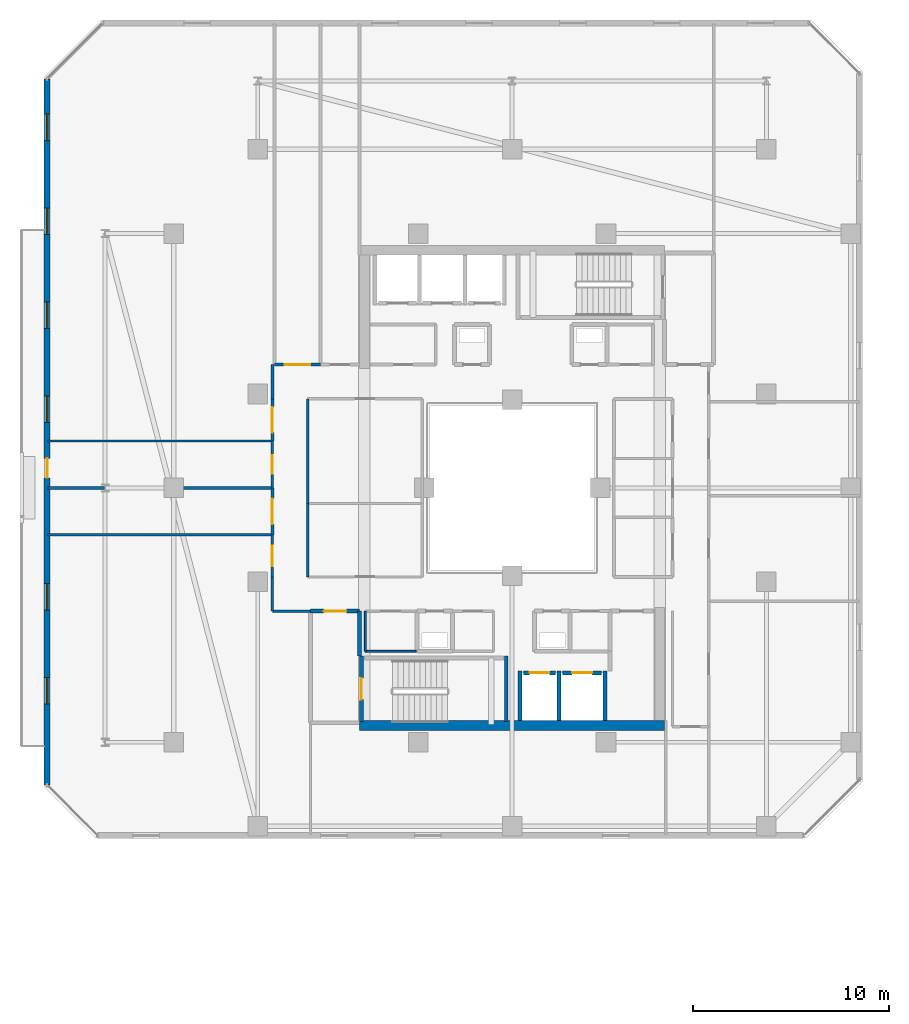
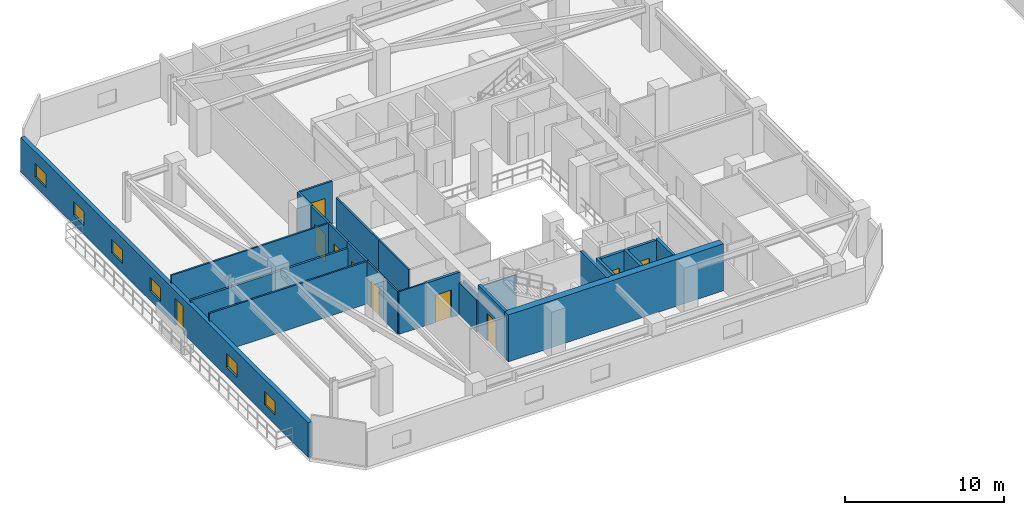
# One storey, part 19 of 33: 26 walls, 10 doors, 6 windows, 16 openings.
"""IFC4 building model written with IfcOpenShell, lengths in metres."""

from ifc_helpers import new_model, si_unit, direction, frame, frame_2d, origin, place, context, subcontext, project, spatial, rectangle, extrude, material, layer, layer_set, type_object, element, fill, save


model = new_model("IFC4")

# Units and contexts
model_context = context("Model", 3, precision=1e-05, world=origin(), true_north=direction((0.0, 1.0)))
body_context = subcontext(model_context, "Body", "Model", "MODEL_VIEW")
ifc_project = project(units=[si_unit("LENGTHUNIT", "METRE"), si_unit("AREAUNIT", "SQUARE_METRE"), si_unit("VOLUMEUNIT", "CUBIC_METRE"), si_unit("PLANEANGLEUNIT", "RADIAN"), si_unit("MASSUNIT", "GRAM", prefix="KILO")], contexts=[model_context])

# Site, building, storey
site_placement = place(None, origin())
site = spatial("IfcSite", under=ifc_project, at=site_placement, CompositionType="ELEMENT")
building_placement = place(site_placement, origin())
building = spatial("IfcBuilding", under=site, at=building_placement, Name="Thornwick Lancets Civic Towers", CompositionType="ELEMENT")
storey_placement = place(building_placement, frame((0.0, 0.0, 218.10009765625)))
storey = spatial("IfcBuildingStorey", under=building, at=storey_placement, Name="L58", CompositionType="ELEMENT", Elevation=218.10009765625)

# Wall, opening, door
ifc_material_1 = material(Name="Concrete blockwork C40/50", Category="masonry")
ifc_layer_1 = layer(ifc_material_1, 0.199951171875, Name="Concrete blockwork C40/50")
ifc_layer_set_1 = layer_set([ifc_layer_1], Name="Concrete blockwork C40/50")
wall_type_1 = type_object("IfcWallType", Name="WALL_COMP_200", PredefinedType="STANDARD", material=ifc_layer_set_1)
wall_1_placement = place(storey_placement, frame((26.080078125, 17.550048828125, 0.0), z_axis=(0.0, 0.0, 1.0), x_axis=(1.0, 0.0, 0.0)))
wall_1 = element("IfcWall", 1, at=wall_1_placement, inside=storey, type_object=wall_type_1, Name="L58 Hoistway Front Wall FL-A1", PredefinedType="STANDARD", context=body_context, shape_type="SweptSolid", body=[
    extrude(rectangle(XDim=1.639892578125, YDim=0.199951171875, at=frame_2d((0.81982421875, 0.0))), origin(), (0.0, 0.0, 1.0), 3.260009765625),
])
opening_1_placement = place(wall_1_placement, frame((0.31005859375, 0.0, 0.0)))
opening_1 = element("IfcOpeningElement", 2, at=opening_1_placement, cuts=wall_1, Name="Opening LD-FL-A1", PredefinedType="OPENING", context=body_context, shape_type="SweptSolid", body=[
    extrude(rectangle(XDim=1.02001953125, YDim=2.06005859375, at=frame_2d((0.510009765625, 1.030029296875))), frame((0.0, 0.10986328125, 0.0), z_axis=(0.0, -1.0, 0.0), x_axis=(1.0, 0.0, 0.0)), (0.0, 0.0, 1.0), 0.219970703125),
])
ifc_material_2 = material(Name="Brushed bronze stainless steel", Category="steel")
door_type_1 = type_object("IfcDoorType", Name="DOOR_LIFT_SLIDE", OperationType="SLIDING_TO_LEFT", PredefinedType="DOOR", material=ifc_material_2)
door_1_placement = place(opening_1_placement, origin())
door_1 = element("IfcDoor", 3, at=door_1_placement, inside=storey, type_object=door_type_1, Name="L58 Sliding Lift Landing Door LD-FL-A1", OperationType="SLIDING_TO_LEFT", OverallHeight=2.06005859375, OverallWidth=1.02001953125, PredefinedType="DOOR", context=body_context, shape_type="SweptSolid", body=[
    extrude(rectangle(XDim=1.02001953125, YDim=2.06005859375, at=frame_2d((0.510009765625, 1.030029296875))), frame((0.0, 0.02490234375, 0.0), z_axis=(0.0, -1.0, 0.0), x_axis=(1.0, 0.0, 0.0)), (0.0, 0.0, 1.0), 0.050048828125),
])
fill(opening_1, door_1)

wall_2_placement = place(storey_placement, frame((28.080078125, 17.550048828125, 0.0), z_axis=(0.0, 0.0, 1.0), x_axis=(1.0, 0.0, 0.0)))
wall_2 = element("IfcWall", 4, at=wall_2_placement, inside=storey, type_object=wall_type_1, Name="L58 Hoistway Front Wall PL-AH1", PredefinedType="STANDARD", context=body_context, shape_type="SweptSolid", body=[
    extrude(rectangle(XDim=1.989990234375, YDim=0.199951171875, at=frame_2d((0.9951171875, 0.0))), origin(), (0.0, 0.0, 1.0), 3.260009765625),
])
opening_2_placement = place(wall_2_placement, frame((0.485107421875, 0.0, 0.0)))
opening_2 = element("IfcOpeningElement", 5, at=opening_2_placement, cuts=wall_2, Name="Opening LD-PL-AH1", PredefinedType="OPENING", context=body_context, shape_type="SweptSolid", body=[
    extrude(rectangle(XDim=1.02001953125, YDim=2.06005859375, at=frame_2d((0.510009765625, 1.030029296875))), frame((0.0, 0.10986328125, 0.0), z_axis=(0.0, -1.0, 0.0), x_axis=(1.0, 0.0, 0.0)), (0.0, 0.0, 1.0), 0.219970703125),
])
door_2_placement = place(opening_2_placement, origin())
door_2 = element("IfcDoor", 6, at=door_2_placement, inside=storey, type_object=door_type_1, Name="L58 Sliding Lift Landing Door LD-PL-AH1", OperationType="SLIDING_TO_LEFT", OverallHeight=2.06005859375, OverallWidth=1.02001953125, PredefinedType="DOOR", context=body_context, shape_type="SweptSolid", body=[
    extrude(rectangle(XDim=1.02001953125, YDim=2.06005859375, at=frame_2d((0.510009765625, 1.030029296875))), frame((0.0, 0.02490234375, 0.0), z_axis=(0.0, -1.0, 0.0), x_axis=(1.0, 0.0, 0.0)), (0.0, 0.0, 1.0), 0.050048828125),
])
fill(opening_2, door_2)

# Walls
for number, where, z_axis, x_axis, name in (
    (7, (27.89990234375, 15.112060546875, 0.0), (0.0, 0.0, 1.0), (0.0, 1.0, 0.0), "L58 Hoistway Shaft Wall FL-A1 E"),
    (8, (25.89990234375, 15.112060546875, 0.0), (0.0, 0.0, 1.0), (0.0, 1.0, 0.0), "L58 Hoistway Shaft Wall FL-A1 W"),
    (9, (30.25, 15.112060546875, 0.0), (0.0, 0.0, 1.0), (0.0, 1.0, 0.0), "L58 Hoistway Shaft Wall PL-AH1 E"),
):
    element("IfcWall", number, at=place(storey_placement, frame(where, z_axis=z_axis, x_axis=x_axis)), inside=storey, type_object=wall_type_1, Name=name, PredefinedType="STANDARD", context=body_context, shape_type="SweptSolid", body=[
        extrude(rectangle(XDim=2.535888671875, YDim=0.199951171875, at=frame_2d((1.26806640625, 0.0))), origin(), (0.0, 0.0, 1.0), 3.260009765625),
    ])
wall_3_placement = place(storey_placement, frame((17.699951171875, 18.39990234375, 0.0), z_axis=(0.0, 0.0, 1.0), x_axis=(0.0, 1.0, 0.0)))
element("IfcWall", 10, at=wall_3_placement, inside=storey, type_object=wall_type_1, Name="L58 Partition L58-A-FFLOB1 E2", PredefinedType="STANDARD", context=body_context, shape_type="SweptSolid", body=[
    extrude(rectangle(XDim=2.300048828125, YDim=0.199951171875, at=frame_2d((1.14990234375, 0.0))), origin(), (0.0, 0.0, 1.0), 2.46484375),
])

# Wall, opening, door
wall_4_placement = place(storey_placement, frame((17.699951171875, 20.699951171875, 0.0), z_axis=(0.0, 0.0, 1.0), x_axis=(-1.0, 0.0, 0.0)))
wall_4 = element("IfcWall", 11, at=wall_4_placement, inside=storey, type_object=wall_type_1, Name="L58 Partition L58-A-FFLOB1 E3", PredefinedType="STANDARD", context=body_context, shape_type="SweptSolid", body=[
    extrude(rectangle(XDim=2.5, YDim=0.199951171875, at=frame_2d((1.25, 0.0))), origin(), (0.0, 0.0, 1.0), 3.260009765625),
])
opening_3_placement = place(wall_4_placement, frame((0.675048828125, 0.0, 0.0)))
opening_3 = element("IfcOpeningElement", 12, at=opening_3_placement, cuts=wall_4, Name="Opening D-L58-2579", PredefinedType="OPENING", context=body_context, shape_type="SweptSolid", body=[
    extrude(rectangle(XDim=1.14990234375, YDim=2.10009765625, at=frame_2d((0.574951171875, 1.050048828125))), frame((0.0, 0.10986328125, 0.0), z_axis=(0.0, -1.0, 0.0), x_axis=(1.0, 0.0, 0.0)), (0.0, 0.0, 1.0), 0.219970703125),
])
ifc_material_3 = material(Name="Glazed fire-resisting steel", Category="steel")
door_type_2 = type_object("IfcDoorType", Name="DOOR_LOBBY_FD60", OperationType="NOTDEFINED", PredefinedType="DOOR", material=ifc_material_3)
door_3_placement = place(opening_3_placement, origin())
door_3 = element("IfcDoor", 13, at=door_3_placement, inside=storey, type_object=door_type_2, Name="L58 South Firefighting Lobby 1 Door", OperationType="SINGLE_SWING_RIGHT", OverallHeight=2.10009765625, OverallWidth=1.14990234375, PredefinedType="DOOR", context=body_context, shape_type="SweptSolid", body=[
    extrude(rectangle(XDim=1.14990234375, YDim=2.10009765625, at=frame_2d((0.574951171875, 1.050048828125))), frame((0.0, 0.02490234375, 0.0), z_axis=(0.0, -1.0, 0.0), x_axis=(1.0, 0.0, 0.0)), (0.0, 0.0, 1.0), 0.050048828125),
])
fill(opening_3, door_3)

# Wall
ifc_material_4 = material(Name="Concrete C50/60", Category="concrete")
ifc_layer_2 = layer(ifc_material_4, 0.5, Name="Concrete C50/60")
ifc_layer_set_2 = layer_set([ifc_layer_2], Name="Concrete C50/60")
wall_type_2 = type_object("IfcWallType", Name="WALL_CORE_500", PredefinedType="SHEAR", material=ifc_layer_set_2)
wall_5_placement = place(storey_placement, frame((17.699951171875, 14.85009765625, 0.0), z_axis=(0.0, 0.0, 1.0), x_axis=(1.0, 0.0, 0.0)))
element("IfcWall", 14, at=wall_5_placement, inside=storey, type_object=wall_type_2, Name="L58 Split Core A1 Shear Wall S", PredefinedType="SHEAR", context=body_context, shape_type="SweptSolid", body=[
    extrude(rectangle(XDim=15.60009765625, YDim=0.5, at=frame_2d((7.800048828125, 0.0))), origin(), (0.0, 0.0, 1.0), 3.599853515625),
])

# Wall, openings, door, windows
ifc_material_5 = material(Name="Insulated russet terracotta rainscreen on concrete C40/50", Category="masonry")
ifc_layer_3 = layer(ifc_material_5, 0.300048828125, Name="Insulated russet terracotta rainscreen on concrete C40/50")
ifc_layer_set_3 = layer_set([ifc_layer_3], Name="Insulated russet terracotta rainscreen on concrete C40/50")
wall_type_3 = type_object("IfcWallType", Name="WALL_EXT_RUSSET_300", PredefinedType="STANDARD", material=ifc_layer_set_3)
wall_6_placement = place(storey_placement, frame((1.736328125, 47.905517578125, 0.0), z_axis=(0.0, 0.0, 1.0), x_axis=(-2.7061402e-05, -0.999999999634, 0.0)))
wall_6 = element("IfcWall", 15, at=wall_6_placement, inside=storey, type_object=wall_type_3, Name="L58 Tower A Terracotta Facade Wall E6", PredefinedType="STANDARD", context=body_context, shape_type="SweptSolid", body=[
    extrude(rectangle(XDim=36.0869140625, YDim=0.300048828125, at=frame_2d((18.04345703125, 0.0))), origin(), (0.0, 0.0, 1.0), 2.659912109375),
])
opening_4_placement = place(wall_6_placement, frame((19.393310546875, 0.0, 0.0)))
opening_4 = element("IfcOpeningElement", 16, at=opening_4_placement, cuts=wall_6, Name="Opening D-BL-L58-AW", PredefinedType="OPENING", context=body_context, shape_type="SweptSolid", body=[
    extrude(rectangle(XDim=1.0, YDim=2.080078125, at=frame_2d((0.5, 1.0400390625))), frame((0.0, 0.16015625, 0.0), z_axis=(0.0, -1.0, 0.0), x_axis=(1.0, 0.0, 0.0)), (0.0, 0.0, 1.0), 0.320068359375),
])
opening_5_placement = place(wall_6_placement, frame((1.800048828125, 0.0, 0.719970703125)))
opening_5 = element("IfcOpeningElement", 17, at=opening_5_placement, cuts=wall_6, Name="Opening WL-03", PredefinedType="OPENING", context=body_context, shape_type="SweptSolid", body=[
    extrude(rectangle(XDim=1.35009765625, YDim=1.050048828125, at=frame_2d((0.675048828125, 0.52490234375))), frame((0.0, 0.16015625, 0.0), z_axis=(0.0, -1.0, 0.0), x_axis=(1.0, 0.0, 0.0)), (0.0, 0.0, 1.0), 0.320068359375),
])
opening_6_placement = place(wall_6_placement, frame((6.60009765625, 0.0, 0.719970703125)))
opening_6 = element("IfcOpeningElement", 18, at=opening_6_placement, cuts=wall_6, Name="Opening WL-03", PredefinedType="OPENING", context=body_context, shape_type="SweptSolid", body=[
    extrude(rectangle(XDim=1.35009765625, YDim=1.050048828125, at=frame_2d((0.675048828125, 0.52490234375))), frame((0.0, 0.16015625, 0.0), z_axis=(0.0, -1.0, 0.0), x_axis=(1.0, 0.0, 0.0)), (0.0, 0.0, 1.0), 0.320068359375),
])
opening_7_placement = place(wall_6_placement, frame((11.39990234375, 0.0, 0.719970703125)))
opening_7 = element("IfcOpeningElement", 19, at=opening_7_placement, cuts=wall_6, Name="Opening WL-03", PredefinedType="OPENING", context=body_context, shape_type="SweptSolid", body=[
    extrude(rectangle(XDim=1.35009765625, YDim=1.050048828125, at=frame_2d((0.675048828125, 0.52490234375))), frame((0.0, 0.16015625, 0.0), z_axis=(0.0, -1.0, 0.0), x_axis=(1.0, 0.0, 0.0)), (0.0, 0.0, 1.0), 0.320068359375),
])
opening_8_placement = place(wall_6_placement, frame((16.199951171875, 0.0, 0.719970703125)))
opening_8 = element("IfcOpeningElement", 20, at=opening_8_placement, cuts=wall_6, Name="Opening WL-03", PredefinedType="OPENING", context=body_context, shape_type="SweptSolid", body=[
    extrude(rectangle(XDim=1.35009765625, YDim=1.050048828125, at=frame_2d((0.675048828125, 0.52490234375))), frame((0.0, 0.16015625, 0.0), z_axis=(0.0, -1.0, 0.0), x_axis=(1.0, 0.0, 0.0)), (0.0, 0.0, 1.0), 0.320068359375),
])
opening_9_placement = place(wall_6_placement, frame((25.800048828125, 0.0, 0.719970703125)))
opening_9 = element("IfcOpeningElement", 21, at=opening_9_placement, cuts=wall_6, Name="Opening WL-03", PredefinedType="OPENING", context=body_context, shape_type="SweptSolid", body=[
    extrude(rectangle(XDim=1.35009765625, YDim=1.050048828125, at=frame_2d((0.675048828125, 0.52490234375))), frame((0.0, 0.16015625, 0.0), z_axis=(0.0, -1.0, 0.0), x_axis=(1.0, 0.0, 0.0)), (0.0, 0.0, 1.0), 0.320068359375),
])
opening_10_placement = place(wall_6_placement, frame((30.60009765625, 0.0, 0.719970703125)))
opening_10 = element("IfcOpeningElement", 22, at=opening_10_placement, cuts=wall_6, Name="Opening WL-03", PredefinedType="OPENING", context=body_context, shape_type="SweptSolid", body=[
    extrude(rectangle(XDim=1.35009765625, YDim=1.050048828125, at=frame_2d((0.675048828125, 0.52490234375))), frame((0.0, 0.16015625, 0.0), z_axis=(0.0, -1.0, 0.0), x_axis=(1.0, 0.0, 0.0)), (0.0, 0.0, 1.0), 0.320068359375),
])
ifc_material_6 = material(Name="Thermally broken glazed loggia doorset")
door_type_3 = type_object("IfcDoorType", Name="DOOR_BALC_1000", OperationType="NOTDEFINED", PredefinedType="DOOR", material=ifc_material_6)
door_4_placement = place(opening_4_placement, origin())
door_4 = element("IfcDoor", 23, at=door_4_placement, inside=storey, type_object=door_type_3, Name="L58 Tower A Loggia Balcony Door W", OperationType="SINGLE_SWING_LEFT", OverallHeight=2.080078125, OverallWidth=1.0, PredefinedType="DOOR", context=body_context, shape_type="SweptSolid", body=[
    extrude(rectangle(XDim=1.0, YDim=2.080078125, at=frame_2d((0.5, 1.0400390625))), frame((0.0, 0.02490234375, 0.0), z_axis=(0.0, -1.0, 0.0), x_axis=(1.0, 0.0, 0.0)), (0.0, 0.0, 1.0), 0.050048828125),
])
fill(opening_4, door_4)
ifc_material_7 = material(Name="Clear low-e double glazing clerestory lancet", Category="glass")
window_type = type_object("IfcWindowType", Name="WIN_LANCET_1350", PartitioningType="SINGLE_PANEL", PredefinedType="WINDOW", material=ifc_material_7)
window_1_placement = place(opening_5_placement, origin())
window_1 = element("IfcWindow", 24, at=window_1_placement, inside=storey, type_object=window_type, Name="L58 Tower A Staggered Lancet Window E6-1", OverallHeight=1.050048828125, OverallWidth=1.35009765625, PartitioningType="SINGLE_PANEL", PredefinedType="WINDOW", context=body_context, shape_type="SweptSolid", body=[
    extrude(rectangle(XDim=1.35009765625, YDim=1.050048828125, at=frame_2d((0.675048828125, 0.52490234375))), frame((0.0, 0.030029296875, 0.0), z_axis=(0.0, -1.0, 0.0), x_axis=(1.0, 0.0, 0.0)), (0.0, 0.0, 1.0), 0.06005859375),
])
fill(opening_5, window_1)
window_2_placement = place(opening_6_placement, origin())
window_2 = element("IfcWindow", 25, at=window_2_placement, inside=storey, type_object=window_type, Name="L58 Tower A Staggered Lancet Window E6-2", OverallHeight=1.050048828125, OverallWidth=1.35009765625, PartitioningType="SINGLE_PANEL", PredefinedType="WINDOW", context=body_context, shape_type="SweptSolid", body=[
    extrude(rectangle(XDim=1.35009765625, YDim=1.050048828125, at=frame_2d((0.675048828125, 0.52490234375))), frame((0.0, 0.030029296875, 0.0), z_axis=(0.0, -1.0, 0.0), x_axis=(1.0, 0.0, 0.0)), (0.0, 0.0, 1.0), 0.06005859375),
])
fill(opening_6, window_2)
window_3_placement = place(opening_7_placement, origin())
window_3 = element("IfcWindow", 26, at=window_3_placement, inside=storey, type_object=window_type, Name="L58 Tower A Staggered Lancet Window E6-3", OverallHeight=1.050048828125, OverallWidth=1.35009765625, PartitioningType="SINGLE_PANEL", PredefinedType="WINDOW", context=body_context, shape_type="SweptSolid", body=[
    extrude(rectangle(XDim=1.35009765625, YDim=1.050048828125, at=frame_2d((0.675048828125, 0.52490234375))), frame((0.0, 0.030029296875, 0.0), z_axis=(0.0, -1.0, 0.0), x_axis=(1.0, 0.0, 0.0)), (0.0, 0.0, 1.0), 0.06005859375),
])
fill(opening_7, window_3)
window_4_placement = place(opening_8_placement, origin())
window_4 = element("IfcWindow", 27, at=window_4_placement, inside=storey, type_object=window_type, Name="L58 Tower A Staggered Lancet Window E6-4", OverallHeight=1.050048828125, OverallWidth=1.35009765625, PartitioningType="SINGLE_PANEL", PredefinedType="WINDOW", context=body_context, shape_type="SweptSolid", body=[
    extrude(rectangle(XDim=1.35009765625, YDim=1.050048828125, at=frame_2d((0.675048828125, 0.52490234375))), frame((0.0, 0.030029296875, 0.0), z_axis=(0.0, -1.0, 0.0), x_axis=(1.0, 0.0, 0.0)), (0.0, 0.0, 1.0), 0.06005859375),
])
fill(opening_8, window_4)
window_5_placement = place(opening_9_placement, origin())
window_5 = element("IfcWindow", 28, at=window_5_placement, inside=storey, type_object=window_type, Name="L58 Tower A Staggered Lancet Window E6-5", OverallHeight=1.050048828125, OverallWidth=1.35009765625, PartitioningType="SINGLE_PANEL", PredefinedType="WINDOW", context=body_context, shape_type="SweptSolid", body=[
    extrude(rectangle(XDim=1.35009765625, YDim=1.050048828125, at=frame_2d((0.675048828125, 0.52490234375))), frame((0.0, 0.030029296875, 0.0), z_axis=(0.0, -1.0, 0.0), x_axis=(1.0, 0.0, 0.0)), (0.0, 0.0, 1.0), 0.06005859375),
])
fill(opening_9, window_5)
window_6_placement = place(opening_10_placement, origin())
window_6 = element("IfcWindow", 29, at=window_6_placement, inside=storey, type_object=window_type, Name="L58 Tower A Staggered Lancet Window E6-6", OverallHeight=1.050048828125, OverallWidth=1.35009765625, PartitioningType="SINGLE_PANEL", PredefinedType="WINDOW", context=body_context, shape_type="SweptSolid", body=[
    extrude(rectangle(XDim=1.35009765625, YDim=1.050048828125, at=frame_2d((0.675048828125, 0.52490234375))), frame((0.0, 0.030029296875, 0.0), z_axis=(0.0, -1.0, 0.0), x_axis=(1.0, 0.0, 0.0)), (0.0, 0.0, 1.0), 0.06005859375),
])
fill(opening_10, window_6)

# Walls
ifc_material_8 = material(Name="Lightweight cellular office partition")
ifc_layer_4 = layer(ifc_material_8, 0.10009765625, Name="Lightweight cellular office partition")
ifc_layer_set_4 = layer_set([ifc_layer_4], Name="Lightweight cellular office partition")
wall_type_4 = type_object("IfcWallType", Name="WALL_PART_100", PredefinedType="PARTITIONING", material=ifc_layer_set_4)
wall_7_placement = place(storey_placement, frame((18.0, 18.64990234375, 0.0), z_axis=(0.0, 0.0, 1.0), x_axis=(1.0, 0.0, 0.0)))
element("IfcWall", 30, at=wall_7_placement, inside=storey, type_object=wall_type_4, Name="L58 Partition L58-A-CLN E1", PredefinedType="PARTITIONING", context=body_context, shape_type="SweptSolid", body=[
    extrude(rectangle(XDim=2.60009765625, YDim=0.10009765625, at=frame_2d((1.300048828125, 0.0))), origin(), (0.0, 0.0, 1.0), 3.260009765625),
])
wall_8_placement = place(storey_placement, frame((18.0, 20.699951171875, 0.0), z_axis=(0.0, 0.0, 1.0), x_axis=(0.0, -1.0, 0.0)))
element("IfcWall", 31, at=wall_8_placement, inside=storey, type_object=wall_type_4, Name="L58 Partition L58-A-CLN E4", PredefinedType="PARTITIONING", context=body_context, shape_type="SweptSolid", body=[
    extrude(rectangle(XDim=2.050048828125, YDim=0.10009765625, at=frame_2d((1.02490234375, 0.0))), origin(), (0.0, 0.0, 1.0), 2.46484375),
])
ifc_material_9 = material(Name="Acoustic gypsum board partition")
ifc_layer_5 = layer(ifc_material_9, 0.1201171875, Name="Acoustic gypsum board partition")
ifc_layer_set_5 = layer_set([ifc_layer_5], Name="Acoustic gypsum board partition")
wall_type_5 = type_object("IfcWallType", Name="WALL_PART_120", PredefinedType="PARTITIONING", material=ifc_layer_set_5)
wall_9_placement = place(storey_placement, frame((1.780029296875, 24.60009765625, 0.0), z_axis=(0.0, 0.0, 1.0), x_axis=(1.0, 0.0, 0.0)))
element("IfcWall", 32, at=wall_9_placement, inside=storey, type_object=wall_type_5, Name="L58 Partition L58-A-W1 E2", PredefinedType="PARTITIONING", context=body_context, shape_type="SweptSolid", body=[
    extrude(rectangle(XDim=11.469970703125, YDim=0.1201171875, at=frame_2d((5.73486328125, 0.0))), origin(), (0.0, 0.0, 1.0), 3.260009765625),
])

# Wall, opening, door
wall_10_placement = place(storey_placement, frame((13.25, 24.60009765625, 0.0), z_axis=(0.0, 0.0, 1.0), x_axis=(0.0, -1.0, 0.0)))
wall_10 = element("IfcWall", 33, at=wall_10_placement, inside=storey, type_object=wall_type_5, Name="L58 Partition L58-A-W1 E3", PredefinedType="PARTITIONING", context=body_context, shape_type="SweptSolid", body=[
    extrude(rectangle(XDim=2.150146484375, YDim=0.1201171875, at=frame_2d((1.0751953125, 0.0))), origin(), (0.0, 0.0, 1.0), 3.260009765625),
])
opening_11_placement = place(wall_10_placement, frame((0.550048828125, 0.0, 0.0)))
opening_11 = element("IfcOpeningElement", 34, at=opening_11_placement, cuts=wall_10, Name="Opening D-L58-2606", PredefinedType="OPENING", context=body_context, shape_type="SweptSolid", body=[
    extrude(rectangle(XDim=1.050048828125, YDim=2.10009765625, at=frame_2d((0.52490234375, 1.050048828125))), frame((0.0, 0.070068359375, 0.0), z_axis=(0.0, -1.0, 0.0), x_axis=(1.0, 0.0, 0.0)), (0.0, 0.0, 1.0), 0.14013671875),
])
ifc_material_10 = material(Name="Glazed European oak executive doorset")
door_type_4 = type_object("IfcDoorType", Name="DOOR_OFFICE_1050", OperationType="NOTDEFINED", PredefinedType="DOOR", material=ifc_material_10)
door_5_placement = place(opening_11_placement, origin())
door_5 = element("IfcDoor", 35, at=door_5_placement, inside=storey, type_object=door_type_4, Name="L58 Tower A Ministry Directorate Office W1 Door", OperationType="SINGLE_SWING_LEFT", OverallHeight=2.10009765625, OverallWidth=1.050048828125, PredefinedType="DOOR", context=body_context, shape_type="SweptSolid", body=[
    extrude(rectangle(XDim=1.050048828125, YDim=2.10009765625, at=frame_2d((0.52490234375, 1.050048828125))), frame((0.0, 0.02490234375, 0.0), z_axis=(0.0, -1.0, 0.0), x_axis=(1.0, 0.0, 0.0)), (0.0, 0.0, 1.0), 0.050048828125),
])
fill(opening_11, door_5)

# Walls
wall_11_placement = place(storey_placement, frame((13.25, 22.449951171875, 0.0), z_axis=(0.0, 0.0, 1.0), x_axis=(0.0, -1.0, 0.0)))
element("IfcWall", 36, at=wall_11_placement, inside=storey, type_object=wall_type_5, Name="L58 Partition L58-A-W1 E4", PredefinedType="PARTITIONING", context=body_context, shape_type="SweptSolid", body=[
    extrude(rectangle(XDim=1.75, YDim=0.1201171875, at=frame_2d((0.875, 0.0))), origin(), (0.0, 0.0, 1.0), 3.260009765625),
])
wall_12_placement = place(storey_placement, frame((13.25, 20.699951171875, 0.0), z_axis=(0.0, 0.0, 1.0), x_axis=(1.0, 0.0, 0.0)))
element("IfcWall", 37, at=wall_12_placement, inside=storey, type_object=wall_type_5, Name="L58 Partition L58-A-W1 E5", PredefinedType="PARTITIONING", context=body_context, shape_type="SweptSolid", body=[
    extrude(rectangle(XDim=1.949951171875, YDim=0.1201171875, at=frame_2d((0.97509765625, 0.0))), origin(), (0.0, 0.0, 1.0), 3.260009765625),
])
wall_13_placement = place(storey_placement, frame((1.780029296875, 29.39990234375, 0.0), z_axis=(0.0, 0.0, 1.0), x_axis=(1.0, 0.0, 0.0)))
element("IfcWall", 38, at=wall_13_placement, inside=storey, type_object=wall_type_5, Name="L58 Partition L58-A-W2B E3", PredefinedType="PARTITIONING", context=body_context, shape_type="SweptSolid", body=[
    extrude(rectangle(XDim=11.469970703125, YDim=0.1201171875, at=frame_2d((5.73486328125, 0.0))), origin(), (0.0, 0.0, 1.0), 3.260009765625),
])

# Wall, opening, door
wall_14_placement = place(storey_placement, frame((13.25, 29.39990234375, 0.0), z_axis=(0.0, 0.0, 1.0), x_axis=(0.0, -1.0, 0.0)))
wall_14 = element("IfcWall", 39, at=wall_14_placement, inside=storey, type_object=wall_type_5, Name="L58 Partition L58-A-W2B E4", PredefinedType="PARTITIONING", context=body_context, shape_type="SweptSolid", body=[
    extrude(rectangle(XDim=2.39990234375, YDim=0.1201171875, at=frame_2d((1.199951171875, 0.0))), origin(), (0.0, 0.0, 1.0), 3.260009765625),
])
opening_12_placement = place(wall_14_placement, frame((0.72509765625, 0.0, 0.0)))
opening_12 = element("IfcOpeningElement", 40, at=opening_12_placement, cuts=wall_14, Name="Opening D-L58-2608", PredefinedType="OPENING", context=body_context, shape_type="SweptSolid", body=[
    extrude(rectangle(XDim=0.949951171875, YDim=2.10009765625, at=frame_2d((0.47509765625, 1.050048828125))), frame((0.0, 0.070068359375, 0.0), z_axis=(0.0, -1.0, 0.0), x_axis=(1.0, 0.0, 0.0)), (0.0, 0.0, 1.0), 0.14013671875),
])
ifc_material_11 = material(Name="European oak acoustic doorset")
door_type_5 = type_object("IfcDoorType", Name="DOOR_OFFICE_950", OperationType="NOTDEFINED", PredefinedType="DOOR", material=ifc_material_11)
door_6_placement = place(opening_12_placement, origin())
door_6 = element("IfcDoor", 41, at=door_6_placement, inside=storey, type_object=door_type_5, Name="L58 Tower A Senior Counsel Office W2B Door", OperationType="SINGLE_SWING_LEFT", OverallHeight=2.10009765625, OverallWidth=0.949951171875, PredefinedType="DOOR", context=body_context, shape_type="SweptSolid", body=[
    extrude(rectangle(XDim=0.949951171875, YDim=2.10009765625, at=frame_2d((0.47509765625, 1.050048828125))), frame((0.0, 0.02490234375, 0.0), z_axis=(0.0, -1.0, 0.0), x_axis=(1.0, 0.0, 0.0)), (0.0, 0.0, 1.0), 0.050048828125),
])
fill(opening_12, door_6)

# Walls
wall_15_placement = place(storey_placement, frame((15.050048828125, 22.449951171875, 0.0), z_axis=(0.0, 0.0, 1.0), x_axis=(0.0, 1.0, 0.0)))
element("IfcWall", 42, at=wall_15_placement, inside=storey, type_object=wall_type_5, Name="L58 Partition L58-A-W3 E1", PredefinedType="PARTITIONING", context=body_context, shape_type="SweptSolid", body=[
    extrude(rectangle(XDim=3.75, YDim=0.1201171875, at=frame_2d((1.875, 0.0))), origin(), (0.0, 0.0, 1.0), 3.260009765625),
])
wall_16_placement = place(storey_placement, frame((15.050048828125, 26.199951171875, 0.0), z_axis=(0.0, 0.0, 1.0), x_axis=(0.0, 1.0, 0.0)))
element("IfcWall", 43, at=wall_16_placement, inside=storey, type_object=wall_type_5, Name="L58 Partition L58-A-W4 E1", PredefinedType="PARTITIONING", context=body_context, shape_type="SweptSolid", body=[
    extrude(rectangle(XDim=5.35009765625, YDim=0.1201171875, at=frame_2d((2.675048828125, 0.0))), origin(), (0.0, 0.0, 1.0), 3.260009765625),
])

# Wall, opening, door
ifc_material_12 = material(Name="Twin-stud acoustic gypsum board")
ifc_layer_6 = layer(ifc_material_12, 0.14990234375, Name="Twin-stud acoustic gypsum board")
ifc_layer_set_6 = layer_set([ifc_layer_6], Name="Twin-stud acoustic gypsum board")
wall_type_6 = type_object("IfcWallType", Name="WALL_PART_150", PredefinedType="PARTITIONING", material=ifc_layer_set_6)
wall_17_placement = place(storey_placement, frame((15.699951171875, 33.300048828125, 0.0), z_axis=(0.0, 0.0, 1.0), x_axis=(-1.0, 0.0, 0.0)))
wall_17 = element("IfcWall", 44, at=wall_17_placement, inside=storey, type_object=wall_type_6, Name="L58 Partition L58-A-RECLAIM-M1 E4", PredefinedType="PARTITIONING", context=body_context, shape_type="SweptSolid", body=[
    extrude(rectangle(XDim=2.349853515625, YDim=0.14990234375, at=frame_2d((1.1748046875, 0.0))), origin(), (0.0, 0.0, 1.0), 3.260009765625),
])
opening_13_placement = place(wall_17_placement, frame((0.52490234375, 0.0, 0.0)))
opening_13 = element("IfcOpeningElement", 45, at=opening_13_placement, cuts=wall_17, Name="Opening D-L58-2604", PredefinedType="OPENING", context=body_context, shape_type="SweptSolid", body=[
    extrude(rectangle(XDim=1.300048828125, YDim=2.1201171875, at=frame_2d((0.64990234375, 1.06005859375))), frame((0.0, 0.0849609375, 0.0), z_axis=(0.0, -1.0, 0.0), x_axis=(1.0, 0.0, 0.0)), (0.0, 0.0, 1.0), 0.169921875),
])
ifc_material_13 = material(Name="Acoustic oak leaf-and-a-half doorset")
door_type_6 = type_object("IfcDoorType", Name="DOOR_MEET_1300", OperationType="DOUBLE_DOOR_SINGLE_SWING", PredefinedType="DOOR", material=ifc_material_13)
door_7_placement = place(opening_13_placement, origin())
door_7 = element("IfcDoor", 46, at=door_7_placement, inside=storey, type_object=door_type_6, Name="L58 Tower A Diplomatic Conference Room Door", OperationType="DOUBLE_DOOR_SINGLE_SWING", OverallHeight=2.1201171875, OverallWidth=1.300048828125, PredefinedType="DOOR", context=body_context, shape_type="SweptSolid", body=[
    extrude(rectangle(XDim=1.300048828125, YDim=2.1201171875, at=frame_2d((0.64990234375, 1.06005859375))), frame((0.0, 0.02490234375, 0.0), z_axis=(0.0, -1.0, 0.0), x_axis=(1.0, 0.0, 0.0)), (0.0, 0.0, 1.0), 0.050048828125),
])
fill(opening_13, door_7)

# Wall
wall_18_placement = place(storey_placement, frame((1.780029296875, 27.0, 0.0), z_axis=(0.0, 0.0, 1.0), x_axis=(1.0, 0.0, 0.0)))
element("IfcWall", 47, at=wall_18_placement, inside=storey, type_object=wall_type_6, Name="L58 Partition L58-A-W2 E3", PredefinedType="PARTITIONING", context=body_context, shape_type="SweptSolid", body=[
    extrude(rectangle(XDim=11.469970703125, YDim=0.14990234375, at=frame_2d((5.73486328125, 0.0))), origin(), (0.0, 0.0, 1.0), 2.801513671875),
])

# Wall, opening, door
wall_19_placement = place(storey_placement, frame((13.25, 27.0, 0.0), z_axis=(0.0, 0.0, 1.0), x_axis=(0.0, -1.0, 0.0)))
wall_19 = element("IfcWall", 48, at=wall_19_placement, inside=storey, type_object=wall_type_6, Name="L58 Partition L58-A-W2 E4", PredefinedType="PARTITIONING", context=body_context, shape_type="SweptSolid", body=[
    extrude(rectangle(XDim=2.39990234375, YDim=0.14990234375, at=frame_2d((1.199951171875, 0.0))), origin(), (0.0, 0.0, 1.0), 3.260009765625),
])
opening_14_placement = place(wall_19_placement, frame((0.550048828125, 0.0, 0.0)))
opening_14 = element("IfcOpeningElement", 49, at=opening_14_placement, cuts=wall_19, Name="Opening D-L58-2607", PredefinedType="OPENING", context=body_context, shape_type="SweptSolid", body=[
    extrude(rectangle(XDim=1.300048828125, YDim=2.1201171875, at=frame_2d((0.64990234375, 1.06005859375))), frame((0.0, 0.0849609375, 0.0), z_axis=(0.0, -1.0, 0.0), x_axis=(1.0, 0.0, 0.0)), (0.0, 0.0, 1.0), 0.169921875),
])
door_8_placement = place(opening_14_placement, origin())
door_8 = element("IfcDoor", 50, at=door_8_placement, inside=storey, type_object=door_type_6, Name="L58 Tower A Policy Briefing Room W2 Door", OperationType="DOUBLE_DOOR_SINGLE_SWING", OverallHeight=2.1201171875, OverallWidth=1.300048828125, PredefinedType="DOOR", context=body_context, shape_type="SweptSolid", body=[
    extrude(rectangle(XDim=1.300048828125, YDim=2.1201171875, at=frame_2d((0.64990234375, 1.06005859375))), frame((0.0, 0.02490234375, 0.0), z_axis=(0.0, -1.0, 0.0), x_axis=(1.0, 0.0, 0.0)), (0.0, 0.0, 1.0), 0.050048828125),
])
fill(opening_14, door_8)

# Wall
wall_20_placement = place(storey_placement, frame((13.25, 33.300048828125, 0.0), z_axis=(0.0, 0.0, 1.0), x_axis=(0.0, -1.0, 0.0)))
element("IfcWall", 51, at=wall_20_placement, inside=storey, type_object=wall_type_6, Name="L58 Partition L58-A-W2C E5", PredefinedType="PARTITIONING", context=body_context, shape_type="SweptSolid", body=[
    extrude(rectangle(XDim=1.75, YDim=0.14990234375, at=frame_2d((0.875, 0.0))), origin(), (0.0, 0.0, 1.0), 3.260009765625),
])

# Wall, opening, door
wall_21_placement = place(storey_placement, frame((13.25, 31.550048828125, 0.0), z_axis=(0.0, 0.0, 1.0), x_axis=(0.0, -1.0, 0.0)))
wall_21 = element("IfcWall", 52, at=wall_21_placement, inside=storey, type_object=wall_type_6, Name="L58 Partition L58-A-W2C E6", PredefinedType="PARTITIONING", context=body_context, shape_type="SweptSolid", body=[
    extrude(rectangle(XDim=2.150146484375, YDim=0.14990234375, at=frame_2d((1.0751953125, 0.0))), origin(), (0.0, 0.0, 1.0), 3.260009765625),
])
opening_15_placement = place(wall_21_placement, frame((0.425048828125, 0.0, 0.0)))
opening_15 = element("IfcOpeningElement", 53, at=opening_15_placement, cuts=wall_21, Name="Opening D-L58-2609", PredefinedType="OPENING", context=body_context, shape_type="SweptSolid", body=[
    extrude(rectangle(XDim=1.300048828125, YDim=2.1201171875, at=frame_2d((0.64990234375, 1.06005859375))), frame((0.0, 0.0849609375, 0.0), z_axis=(0.0, -1.0, 0.0), x_axis=(1.0, 0.0, 0.0)), (0.0, 0.0, 1.0), 0.169921875),
])
door_9_placement = place(opening_15_placement, origin())
door_9 = element("IfcDoor", 54, at=door_9_placement, inside=storey, type_object=door_type_6, Name="L58 Tower A Statutory Hearing Room W2C Door", OperationType="DOUBLE_DOOR_SINGLE_SWING", OverallHeight=2.1201171875, OverallWidth=1.300048828125, PredefinedType="DOOR", context=body_context, shape_type="SweptSolid", body=[
    extrude(rectangle(XDim=1.300048828125, YDim=2.1201171875, at=frame_2d((0.64990234375, 1.06005859375))), frame((0.0, 0.02490234375, 0.0), z_axis=(0.0, -1.0, 0.0), x_axis=(1.0, 0.0, 0.0)), (0.0, 0.0, 1.0), 0.050048828125),
])
fill(opening_15, door_9)

ifc_material_14 = material(Name="Concrete C40/50", Category="concrete")
ifc_layer_7 = layer(ifc_material_14, 0.199951171875, Name="Concrete C40/50")
ifc_layer_set_7 = layer_set([ifc_layer_7], Name="Concrete C40/50")
wall_type_7 = type_object("IfcWallType", Name="WALL_SHAFT_200", PredefinedType="SHEAR", material=ifc_layer_set_7)
wall_22_placement = place(storey_placement, frame((17.800048828125, 15.050048828125, 0.0), z_axis=(0.0, 0.0, 1.0), x_axis=(0.0, 1.0, 0.0)))
wall_22 = element("IfcWall", 55, at=wall_22_placement, inside=storey, type_object=wall_type_7, Name="L58 ST-A1 Fire Stair Core Wall NEAR", PredefinedType="SHEAR", context=body_context, shape_type="SweptSolid", body=[
    extrude(rectangle(XDim=3.349853515625, YDim=0.199951171875, at=frame_2d((1.6748046875, 0.0))), origin(), (0.0, 0.0, 1.0), 3.599853515625),
])
opening_16_placement = place(wall_22_placement, frame((1.125, 0.0, 0.0)))
opening_16 = element("IfcOpeningElement", 56, at=opening_16_placement, cuts=wall_22, Name="Opening D-ST-A1-L58", PredefinedType="OPENING", context=body_context, shape_type="SweptSolid", body=[
    extrude(rectangle(XDim=1.10009765625, YDim=2.10009765625, at=frame_2d((0.550048828125, 1.050048828125))), frame((0.0, 0.10986328125, 0.0), z_axis=(0.0, -1.0, 0.0), x_axis=(1.0, 0.0, 0.0)), (0.0, 0.0, 1.0), 0.219970703125),
])
ifc_material_15 = material(Name="Fire-resisting steel and hardwood", Category="steel")
door_type_7 = type_object("IfcDoorType", Name="DOOR_STAIR_FD60", OperationType="NOTDEFINED", PredefinedType="DOOR", material=ifc_material_15)
door_10_placement = place(opening_16_placement, origin())
door_10 = element("IfcDoor", 57, at=door_10_placement, inside=storey, type_object=door_type_7, Name="L58 ST-A1 Exit Stair Door", OperationType="SINGLE_SWING_RIGHT", OverallHeight=2.10009765625, OverallWidth=1.10009765625, PredefinedType="DOOR", context=body_context, shape_type="SweptSolid", body=[
    extrude(rectangle(XDim=1.10009765625, YDim=2.10009765625, at=frame_2d((0.550048828125, 1.050048828125))), frame((0.0, 0.02490234375, 0.0), z_axis=(0.0, -1.0, 0.0), x_axis=(1.0, 0.0, 0.0)), (0.0, 0.0, 1.0), 0.050048828125),
])
fill(opening_16, door_10)

# Wall
wall_23_placement = place(storey_placement, frame((25.199951171875, 18.39990234375, 0.0), z_axis=(0.0, 0.0, 1.0), x_axis=(0.0, -1.0, 0.0)))
element("IfcWall", 58, at=wall_23_placement, inside=storey, type_object=wall_type_7, Name="L58 ST-A1 Fire Stair Core Wall FAR", PredefinedType="SHEAR", context=body_context, shape_type="SweptSolid", body=[
    extrude(rectangle(XDim=3.349853515625, YDim=0.199951171875, at=frame_2d((1.6748046875, 0.0))), origin(), (0.0, 0.0, 1.0), 3.599853515625),
])

save(model, "model.ifc")
